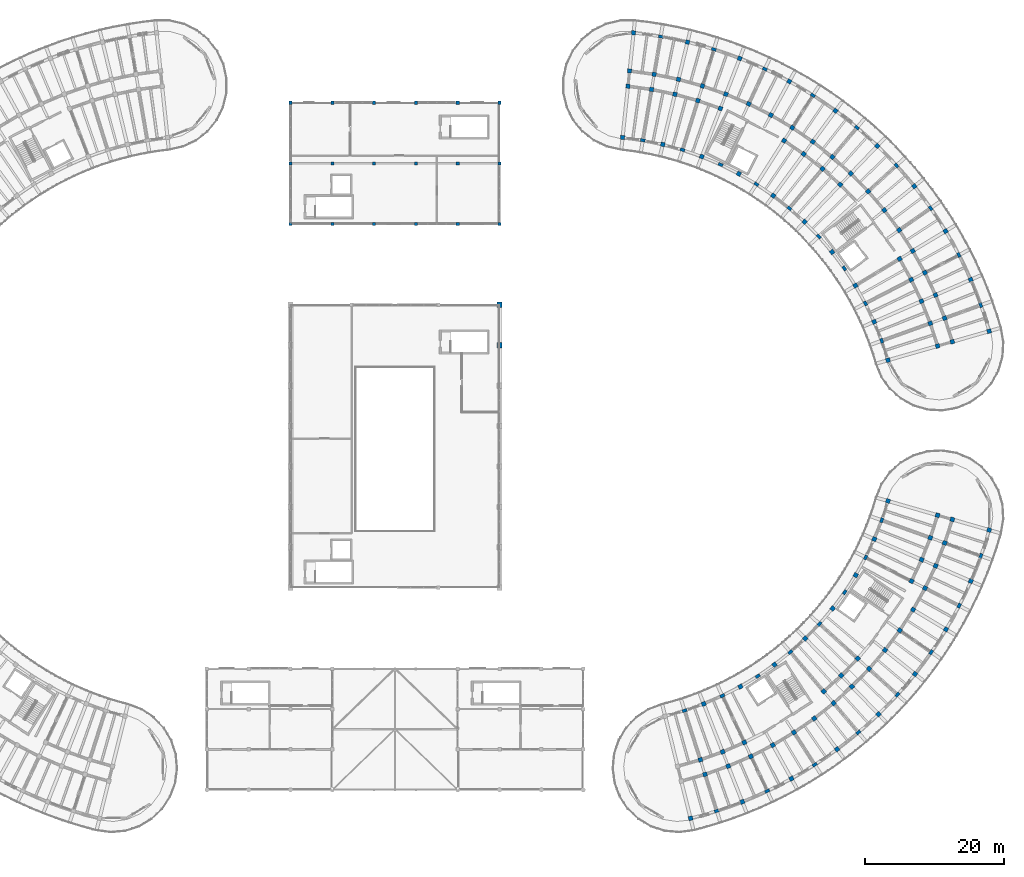
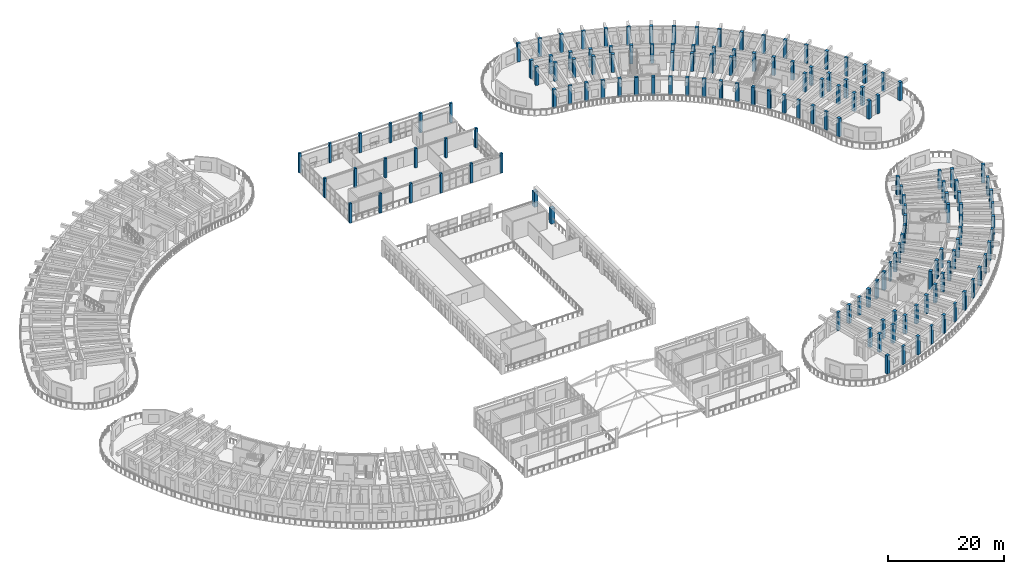
# One storey, part 5 of 128: 150 columns.
"""IFC4 building model written with IfcOpenShell, lengths in metres."""

from ifc_helpers import new_model, si_unit, direction, frame, origin, origin_2d, place, context, subcontext, project, spatial, rectangle, extrude, material, material_profile, profile_set, type_object, element, save


model = new_model("IFC4")

# Units and contexts
model_context = context("Model", 3, precision=1e-05, world=origin(), true_north=direction((0.0, 1.0)))
body_context = subcontext(model_context, "Body", "Model", "MODEL_VIEW")
ifc_project = project(units=[si_unit("LENGTHUNIT", "METRE"), si_unit("AREAUNIT", "SQUARE_METRE"), si_unit("VOLUMEUNIT", "CUBIC_METRE"), si_unit("PLANEANGLEUNIT", "RADIAN"), si_unit("MASSUNIT", "GRAM", prefix="KILO")], contexts=[model_context])

# Site, building, storey
site_placement = place(None, origin())
site = spatial("IfcSite", under=ifc_project, at=site_placement, CompositionType="ELEMENT")
building_placement = place(site_placement, origin())
building = spatial("IfcBuilding", under=site, at=building_placement, Name="Tanwirah Colonnade Gardens", CompositionType="ELEMENT")
storey_placement = place(building_placement, frame((0.0, 0.0, 4.760009765625)))
storey = spatial("IfcBuildingStorey", under=building, at=storey_placement, Name="L01", CompositionType="ELEMENT", Elevation=4.760009765625)

# Columns
ifc_material_1 = material(Name="Precast concrete C40/50", Category="concrete")
ifc_material_profile_1 = material_profile(ifc_material_1, rectangle(XDim=0.449951171875, YDim=0.449951171875, at=origin_2d()), Name="PC-COL 450x450")
ifc_profile_set_1 = profile_set([ifc_material_profile_1], Name="Precast concrete C40/50")
column_type_1 = type_object("IfcColumnType", Name="C-PC450", PredefinedType="COLUMN", material=ifc_profile_set_1)
for number, where, z_axis, x_axis, name in (
    (1, (78.0, 92.0, 0.0), (0.0, 0.0, 1.0), (1.0, 0.0, 0.0), "Nursery L01 Column 0.0"),
    (2, (78.0, 100.699951171875, 0.0), (0.0, 0.0, 1.0), (1.0, 0.0, 0.0), "Nursery L01 Column 0.1"),
    (3, (78.0, 109.39990234375, 0.0), (0.0, 0.0, 1.0), (1.0, 0.0, 0.0), "Nursery L01 Column 0.2"),
    (4, (84.0, 92.0, 0.0), (0.0, 0.0, 1.0), (1.0, 0.0, 0.0), "Nursery L01 Column 1.0"),
    (5, (84.0, 100.699951171875, 0.0), (0.0, 0.0, 1.0), (1.0, 0.0, 0.0), "Nursery L01 Column 1.1"),
    (6, (84.0, 109.39990234375, 0.0), (0.0, 0.0, 1.0), (1.0, 0.0, 0.0), "Nursery L01 Column 1.2"),
    (7, (90.0, 92.0, 0.0), (0.0, 0.0, 1.0), (1.0, 0.0, 0.0), "Nursery L01 Column 2.0"),
    (8, (90.0, 100.699951171875, 0.0), (0.0, 0.0, 1.0), (1.0, 0.0, 0.0), "Nursery L01 Column 2.1"),
    (9, (90.0, 109.39990234375, 0.0), (0.0, 0.0, 1.0), (1.0, 0.0, 0.0), "Nursery L01 Column 2.2"),
    (10, (96.0, 92.0, 0.0), (0.0, 0.0, 1.0), (1.0, 0.0, 0.0), "Nursery L01 Column 3.0"),
    (11, (96.0, 100.699951171875, 0.0), (0.0, 0.0, 1.0), (1.0, 0.0, 0.0), "Nursery L01 Column 3.1"),
    (12, (96.0, 109.39990234375, 0.0), (0.0, 0.0, 1.0), (1.0, 0.0, 0.0), "Nursery L01 Column 3.2"),
    (13, (102.0, 92.0, 0.0), (0.0, 0.0, 1.0), (1.0, 0.0, 0.0), "Nursery L01 Column 4.0"),
    (14, (102.0, 100.699951171875, 0.0), (0.0, 0.0, 1.0), (1.0, 0.0, 0.0), "Nursery L01 Column 4.1"),
    (15, (102.0, 109.39990234375, 0.0), (0.0, 0.0, 1.0), (1.0, 0.0, 0.0), "Nursery L01 Column 4.2"),
    (16, (108.0, 92.0, 0.0), (0.0, 0.0, 1.0), (1.0, 0.0, 0.0), "Nursery L01 Column 5.0"),
    (17, (108.0, 100.699951171875, 0.0), (0.0, 0.0, 1.0), (1.0, 0.0, 0.0), "Nursery L01 Column 5.1"),
    (18, (108.0, 109.39990234375, 0.0), (0.0, 0.0, 1.0), (1.0, 0.0, 0.0), "Nursery L01 Column 5.2"),
):
    element("IfcColumn", number, at=place(storey_placement, frame(where, z_axis=z_axis, x_axis=x_axis)), inside=storey, type_object=column_type_1, Name=name, PredefinedType="COLUMN", context=body_context, shape_type="SweptSolid", body=[
        extrude(rectangle(XDim=0.449951171875, YDim=0.449951171875, at=origin_2d()), origin(), (0.0, 0.0, 1.0), 4.080078125),
    ])
ifc_material_2 = material(Name="Precast concrete C45/55", Category="concrete")
ifc_material_profile_2 = material_profile(ifc_material_2, rectangle(XDim=0.610107421875, YDim=0.610107421875, at=origin_2d()), Name="PC-COL 610x610")
ifc_profile_set_2 = profile_set([ifc_material_profile_2], Name="Precast concrete C45/55")
column_type_2 = type_object("IfcColumnType", Name="C-PC580", PredefinedType="COLUMN", material=ifc_profile_set_2)
for number, where, z_axis, x_axis, name in (
    (19, (135.406494140625, 6.718994140625, 0.0), (0.0, 0.0, 1.0), (0.2419218956, -0.970295726276, 0.0), "Block D L01 Column 0-R3"),
    (20, (136.80712890625, 15.1181640625, 0.0), (0.0, 0.0, 1.0), (0.304864299028, -0.952395799643, 0.0), "Block D L01 Column 1-R1"),
    (21, (137.47802734375, 13.02294921875, 0.0), (0.0, 0.0, 1.0), (0.304864299028, -0.952395799643, 0.0), "Block D L01 Column 1-R2"),
    (22, (137.291015625, 23.142822265625, 0.0), (0.0, 0.0, 1.0), (0.366501226724, -0.930417567982, 0.0), "Block D L01 Column 2-R0"),
    (23, (140.003173828125, 16.2578125, 0.0), (0.0, 0.0, 1.0), (0.366501226724, -0.930417567982, 0.0), "Block D L01 Column 2-R1"),
    (24, (140.809326171875, 14.2109375, 0.0), (0.0, 0.0, 1.0), (0.366501226724, -0.930417567982, 0.0), "Block D L01 Column 2-R2"),
    (25, (142.8251953125, 9.09375, 0.0), (0.0, 0.0, 1.0), (0.366501226724, -0.930417567982, 0.0), "Block D L01 Column 2-R3"),
    (26, (143.11767578125, 17.60400390625, 0.0), (0.0, 0.0, 1.0), (0.426568739901, -0.904455145454, 0.0), "Block D L01 Column 3-R1"),
    (27, (144.05615234375, 15.6142578125, 0.0), (0.0, 0.0, 1.0), (0.426568739901, -0.904455145454, 0.0), "Block D L01 Column 3-R2"),
    (28, (142.5498046875, 25.623046875, 0.0), (0.0, 0.0, 1.0), (0.484809620246, -0.874619707139, 0.0), "Block D L01 Column 4-R0"),
    (29, (147.203857421875, 17.226806640625, 0.0), (0.0, 0.0, 1.0), (0.484809620246, -0.874619707139, 0.0), "Block D L01 Column 4-R2"),
    (30, (149.870361328125, 12.41650390625, 0.0), (0.0, 0.0, 1.0), (0.484809620246, -0.874619707139, 0.0), "Block D L01 Column 4-R3"),
    (31, (150.23974609375, 19.041748046875, 0.0), (0.0, 0.0, 1.0), (0.540974471368, -0.841039012964, 0.0), "Block D L01 Column 5-R2"),
    (32, (147.43994140625, 28.7685546875, 0.0), (0.0, 0.0, 1.0), (0.594822786751, -0.803856860617, 0.0), "Block D L01 Column 6-R0"),
    (33, (153.150146484375, 21.051513671875, 0.0), (0.0, 0.0, 1.0), (0.594822786751, -0.803856860617, 0.0), "Block D L01 Column 6-R2"),
    (34, (156.421630859375, 16.63037109375, 0.0), (0.0, 0.0, 1.0), (0.594822786751, -0.803856860617, 0.0), "Block D L01 Column 6-R3"),
    (35, (154.50146484375, 24.926513671875, 0.0), (0.0, 0.0, 1.0), (0.646123979643, -0.763232469783, 0.0), "Block D L01 Column 7-R1"),
    (36, (155.923095703125, 23.247314453125, 0.0), (0.0, 0.0, 1.0), (0.646123979643, -0.763232469783, 0.0), "Block D L01 Column 7-R2"),
    (37, (151.877685546875, 32.525390625, 0.0), (0.0, 0.0, 1.0), (0.694658370459, -0.719339800339, 0.0), "Block D L01 Column 8-R0"),
    (38, (157.01806640625, 27.2021484375, 0.0), (0.0, 0.0, 1.0), (0.694658370459, -0.719339800339, 0.0), "Block D L01 Column 8-R1"),
    (39, (158.54638671875, 25.61962890625, 0.0), (0.0, 0.0, 1.0), (0.694658370459, -0.719339800339, 0.0), "Block D L01 Column 8-R2"),
    (40, (162.366943359375, 21.663330078125, 0.0), (0.0, 0.0, 1.0), (0.694658370459, -0.719339800339, 0.0), "Block D L01 Column 8-R3"),
    (41, (159.38037109375, 29.6376953125, 0.0), (0.0, 0.0, 1.0), (0.740218127487, -0.672366807435, 0.0), "Block D L01 Column 9-R1"),
    (42, (161.0087890625, 28.15869140625, 0.0), (0.0, 0.0, 1.0), (0.740218127487, -0.672366807435, 0.0), "Block D L01 Column 9-R2"),
    (43, (155.786865234375, 36.829345703125, 0.0), (0.0, 0.0, 1.0), (0.782608156852, -0.622514636638, 0.0), "Block D L01 Column 10-R0"),
    (44, (163.300048828125, 30.85302734375, 0.0), (0.0, 0.0, 1.0), (0.782608156852, -0.622514636638, 0.0), "Block D L01 Column 10-R2"),
    (45, (167.604248046875, 27.42919921875, 0.0), (0.0, 0.0, 1.0), (0.782608156852, -0.622514636638, 0.0), "Block D L01 Column 10-R3"),
    (46, (165.409912109375, 33.691650390625, 0.0), (0.0, 0.0, 1.0), (0.821646937942, -0.569996762596, 0.0), "Block D L01 Column 11-R2"),
    (47, (159.10107421875, 41.6064453125, 0.0), (0.0, 0.0, 1.0), (0.857167300702, -0.51503807491, 0.0), "Block D L01 Column 12-R0"),
    (48, (167.329833984375, 36.662109375, 0.0), (0.0, 0.0, 1.0), (0.857167300702, -0.51503807491, 0.0), "Block D L01 Column 12-R2"),
    (49, (172.04443359375, 33.82958984375, 0.0), (0.0, 0.0, 1.0), (0.857167300702, -0.51503807491, 0.0), "Block D L01 Column 12-R3"),
    (50, (167.095458984375, 40.75927734375, 0.0), (0.0, 0.0, 1.0), (0.889017141486, -0.457873915117, 0.0), "Block D L01 Column 13-R1"),
    (51, (169.05126953125, 39.751953125, 0.0), (0.0, 0.0, 1.0), (0.889017141486, -0.457873915117, 0.0), "Block D L01 Column 13-R2"),
    (52, (161.763427734375, 46.775634765625, 0.0), (0.0, 0.0, 1.0), (0.917060074385, -0.398749068925, 0.0), "Block D L01 Column 14-R0"),
    (53, (168.549560546875, 43.824951171875, 0.0), (0.0, 0.0, 1.0), (0.917060074385, -0.398749068925, 0.0), "Block D L01 Column 14-R1"),
    (54, (170.567138671875, 42.947509765625, 0.0), (0.0, 0.0, 1.0), (0.917060074385, -0.398749068925, 0.0), "Block D L01 Column 14-R2"),
    (55, (175.61083984375, 40.75439453125, 0.0), (0.0, 0.0, 1.0), (0.917060074385, -0.398749068925, 0.0), "Block D L01 Column 14-R3"),
    (56, (169.800048828125, 46.97900390625, 0.0), (0.0, 0.0, 1.0), (0.941176015256, -0.337916718003, 0.0), "Block D L01 Column 15-R1"),
    (57, (171.87060546875, 46.235595703125, 0.0), (0.0, 0.0, 1.0), (0.941176015256, -0.337916718003, 0.0), "Block D L01 Column 15-R2"),
    (58, (163.72802734375, 52.247802734375, 0.0), (0.0, 0.0, 1.0), (0.961261695938, -0.275637355817, 0.0), "Block D L01 Column 16-R0"),
    (59, (170.84130859375, 50.208251953125, 0.0), (0.0, 0.0, 1.0), (0.961261695938, -0.275637355817, 0.0), "Block D L01 Column 16-R1"),
    (60, (172.956298828125, 49.601806640625, 0.0), (0.0, 0.0, 1.0), (0.961261695938, -0.275637355817, 0.0), "Block D L01 Column 16-R2"),
    (61, (178.2431640625, 48.085693359375, 0.0), (0.0, 0.0, 1.0), (0.961261695938, -0.275637355817, 0.0), "Block D L01 Column 16-R3"),
):
    element("IfcColumn", number, at=place(storey_placement, frame(where, z_axis=z_axis, x_axis=x_axis)), inside=storey, type_object=column_type_2, Name=name, PredefinedType="COLUMN", context=body_context, shape_type="SweptSolid", body=[
        extrude(rectangle(XDim=0.610107421875, YDim=0.610107421875, at=origin_2d()), origin(), (0.0, 0.0, 1.0), 3.824951171875),
    ])
ifc_material_profile_3 = material_profile(ifc_material_2, rectangle(XDim=0.60009765625, YDim=0.60009765625, at=origin_2d()), Name="PC-COL 600x600")
ifc_profile_set_3 = profile_set([ifc_material_profile_3], Name="Precast concrete C45/55")
column_type_3 = type_object("IfcColumnType", Name="C-PC600", PredefinedType="COLUMN", material=ifc_profile_set_3)
for number, where, z_axis, x_axis, name in (
    (62, (163.72802734375, 72.4521484375, 0.0), (0.0, 0.0, 1.0), (0.961261695938, 0.275637355817, 0.0), "Block B L01 Column 0-R0"),
    (63, (170.84130859375, 74.49169921875, 0.0), (0.0, 0.0, 1.0), (0.961261695938, 0.275637355817, 0.0), "Block B L01 Column 0-R1"),
    (64, (172.956298828125, 75.09814453125, 0.0), (0.0, 0.0, 1.0), (0.961261695938, 0.275637355817, 0.0), "Block B L01 Column 0-R2"),
    (65, (178.2431640625, 76.6142578125, 0.0), (0.0, 0.0, 1.0), (0.961261695938, 0.275637355817, 0.0), "Block B L01 Column 0-R3"),
    (66, (169.79150390625, 77.74462890625, 0.0), (0.0, 0.0, 1.0), (0.941012076693, 0.338372976931, 0.0), "Block B L01 Column 1-R1"),
    (67, (171.86181640625, 78.489013671875, 0.0), (0.0, 0.0, 1.0), (0.941012076693, 0.338372976931, 0.0), "Block B L01 Column 1-R2"),
    (68, (161.74609375, 77.9638671875, 0.0), (0.0, 0.0, 1.0), (0.916673002238, 0.39963809499, 0.0), "Block B L01 Column 2-R0"),
    (69, (168.529541015625, 80.921142578125, 0.0), (0.0, 0.0, 1.0), (0.916673002238, 0.39963809499, 0.0), "Block B L01 Column 2-R1"),
    (70, (170.546142578125, 81.800537109375, 0.0), (0.0, 0.0, 1.0), (0.916673002238, 0.39963809499, 0.0), "Block B L01 Column 2-R2"),
    (71, (175.587890625, 83.99853515625, 0.0), (0.0, 0.0, 1.0), (0.916673002238, 0.39963809499, 0.0), "Block B L01 Column 2-R3"),
    (72, (167.06103515625, 84.0078125, 0.0), (0.0, 0.0, 1.0), (0.88835024545, 0.459166463723, 0.0), "Block B L01 Column 3-R1"),
    (73, (169.015380859375, 85.01806640625, 0.0), (0.0, 0.0, 1.0), (0.88835024545, 0.459166463723, 0.0), "Block B L01 Column 3-R2"),
    (74, (159.056640625, 83.167236328125, 0.0), (0.0, 0.0, 1.0), (0.856166891514, 0.516699384434, 0.0), "Block B L01 Column 4-R0"),
    (75, (165.392333984375, 86.990966796875, 0.0), (0.0, 0.0, 1.0), (0.856166891514, 0.516699384434, 0.0), "Block B L01 Column 4-R1"),
    (76, (167.27587890625, 88.127685546875, 0.0), (0.0, 0.0, 1.0), (0.856166891514, 0.516699384434, 0.0), "Block B L01 Column 4-R2"),
    (77, (171.984619140625, 90.969482421875, 0.0), (0.0, 0.0, 1.0), (0.856166891514, 0.516699384434, 0.0), "Block B L01 Column 4-R3"),
    (78, (165.335205078125, 91.115966796875, 0.0), (0.0, 0.0, 1.0), (0.820262803018, 0.571986830255, 0.0), "Block B L01 Column 5-R2"),
    (79, (155.706298828125, 87.971923828125, 0.0), (0.0, 0.0, 1.0), (0.780794012137, 0.624788532714, 0.0), "Block B L01 Column 6-R0"),
    (80, (163.201904296875, 93.9697265625, 0.0), (0.0, 0.0, 1.0), (0.780794012137, 0.624788532714, 0.0), "Block B L01 Column 6-R2"),
    (81, (167.496337890625, 97.40625, 0.0), (0.0, 0.0, 1.0), (0.780794012137, 0.624788532714, 0.0), "Block B L01 Column 6-R3"),
    (82, (160.88525390625, 96.677001953125, 0.0), (0.0, 0.0, 1.0), (0.73793204255, 0.674875025896, 0.0), "Block B L01 Column 7-R2"),
    (83, (151.75341796875, 92.294189453125, 0.0), (0.0, 0.0, 1.0), (0.691863164029, 0.722028643656, 0.0), "Block B L01 Column 8-R0"),
    (84, (156.873046875, 97.63720703125, 0.0), (0.0, 0.0, 1.0), (0.691863164029, 0.722028643656, 0.0), "Block B L01 Column 8-R1"),
    (85, (158.395263671875, 99.2255859375, 0.0), (0.0, 0.0, 1.0), (0.691863164029, 0.722028643656, 0.0), "Block B L01 Column 8-R2"),
    (86, (162.200439453125, 103.19677734375, 0.0), (0.0, 0.0, 1.0), (0.691863164029, 0.722028643656, 0.0), "Block B L01 Column 8-R3"),
    (87, (154.32861328125, 99.91943359375, 0.0), (0.0, 0.0, 1.0), (0.642787582947, 0.766044465556, 0.0), "Block B L01 Column 9-R1"),
    (88, (155.74267578125, 101.604736328125, 0.0), (0.0, 0.0, 1.0), (0.642787582947, 0.766044465556, 0.0), "Block B L01 Column 9-R2"),
    (89, (147.266357421875, 96.05908203125, 0.0), (0.0, 0.0, 1.0), (0.590918572221, 0.806731207407, 0.0), "Block B L01 Column 10-R0"),
    (90, (151.63916015625, 102.029052734375, 0.0), (0.0, 0.0, 1.0), (0.590918572221, 0.806731207407, 0.0), "Block B L01 Column 10-R1"),
    (91, (152.939208984375, 103.8037109375, 0.0), (0.0, 0.0, 1.0), (0.590918572221, 0.806731207407, 0.0), "Block B L01 Column 10-R2"),
    (92, (156.189208984375, 108.24072265625, 0.0), (0.0, 0.0, 1.0), (0.590918572221, 0.806731207407, 0.0), "Block B L01 Column 10-R3"),
    (93, (148.816650390625, 103.956787109375, 0.0), (0.0, 0.0, 1.0), (0.536481544469, 0.843912052553, 0.0), "Block B L01 Column 11-R1"),
    (94, (149.996826171875, 105.8134765625, 0.0), (0.0, 0.0, 1.0), (0.536481544469, 0.843912052553, 0.0), "Block B L01 Column 11-R2"),
    (95, (142.3232421875, 99.20166015625, 0.0), (0.0, 0.0, 1.0), (0.479713072413, 0.877425420281, 0.0), "Block B L01 Column 12-R0"),
    (96, (146.928466796875, 107.624755859375, 0.0), (0.0, 0.0, 1.0), (0.479713072413, 0.877425420281, 0.0), "Block B L01 Column 12-R2"),
    (97, (149.56689453125, 112.45068359375, 0.0), (0.0, 0.0, 1.0), (0.479713072413, 0.877425420281, 0.0), "Block B L01 Column 12-R3"),
    (98, (143.74755859375, 109.230224609375, 0.0), (0.0, 0.0, 1.0), (0.420859860775, 0.907125668024, 0.0), "Block B L01 Column 13-R2"),
    (99, (137.010009765625, 101.666748046875, 0.0), (0.0, 0.0, 1.0), (0.36017767415, 0.932883724289, 0.0), "Block B L01 Column 14-R0"),
    (100, (139.67529296875, 108.570068359375, 0.0), (0.0, 0.0, 1.0), (0.36017767415, 0.932883724289, 0.0), "Block B L01 Column 14-R1"),
    (101, (140.467529296875, 110.622314453125, 0.0), (0.0, 0.0, 1.0), (0.36017767415, 0.932883724289, 0.0), "Block B L01 Column 14-R2"),
    (102, (142.448486328125, 115.753173828125, 0.0), (0.0, 0.0, 1.0), (0.36017767415, 0.932883724289, 0.0), "Block B L01 Column 14-R3"),
    (103, (136.44775390625, 109.6953125, 0.0), (0.0, 0.0, 1.0), (0.297930225503, 0.954587649581, 0.0), "Block B L01 Column 15-R1"),
    (104, (137.10302734375, 111.79541015625, 0.0), (0.0, 0.0, 1.0), (0.297930225503, 0.954587649581, 0.0), "Block B L01 Column 15-R2"),
    (105, (131.41845703125, 103.411865234375, 0.0), (0.0, 0.0, 1.0), (0.234388030122, 0.972143122866, 0.0), "Block B L01 Column 16-R0"),
    (106, (133.153076171875, 110.605712890625, 0.0), (0.0, 0.0, 1.0), (0.234388030122, 0.972143122866, 0.0), "Block B L01 Column 16-R1"),
    (107, (133.668701171875, 112.744384765625, 0.0), (0.0, 0.0, 1.0), (0.234388030122, 0.972143122866, 0.0), "Block B L01 Column 16-R2"),
    (108, (134.957763671875, 118.091064453125, 0.0), (0.0, 0.0, 1.0), (0.234388030122, 0.972143122866, 0.0), "Block B L01 Column 16-R3"),
    (109, (129.8056640625, 111.296875, 0.0), (0.0, 0.0, 1.0), (0.169827230012, 0.985473851478, 0.0), "Block B L01 Column 17-R1"),
    (110, (130.17919921875, 113.46484375, 0.0), (0.0, 0.0, 1.0), (0.169827230012, 0.985473851478, 0.0), "Block B L01 Column 17-R2"),
    (111, (125.646240234375, 104.406494140625, 0.0), (0.0, 0.0, 1.0), (0.104528393837, 0.994521902666, 0.0), "Block B L01 Column 18-R0"),
    (112, (126.419677734375, 111.765869140625, 0.0), (0.0, 0.0, 1.0), (0.104528393837, 0.994521902666, 0.0), "Block B L01 Column 18-R1"),
    (113, (126.649658203125, 113.953857421875, 0.0), (0.0, 0.0, 1.0), (0.104528393837, 0.994521902666, 0.0), "Block B L01 Column 18-R2"),
    (114, (127.224609375, 119.423828125, 0.0), (0.0, 0.0, 1.0), (0.104528393837, 0.994521902666, 0.0), "Block B L01 Column 18-R3"),
):
    element("IfcColumn", number, at=place(storey_placement, frame(where, z_axis=z_axis, x_axis=x_axis)), inside=storey, type_object=column_type_3, Name=name, PredefinedType="COLUMN", context=body_context, shape_type="SweptSolid", body=[
        extrude(rectangle(XDim=0.60009765625, YDim=0.60009765625, at=origin_2d()), origin(), (0.0, 0.0, 1.0), 3.824951171875),
    ])
ifc_material_3 = material(Name="Concrete C45/55", Category="concrete")
ifc_material_profile_4 = material_profile(ifc_material_3, rectangle(XDim=0.75, YDim=0.75, at=origin_2d()), Name="RC-COL 750x750")
ifc_profile_set_4 = profile_set([ifc_material_profile_4], Name="Concrete C45/55")
column_type_4 = type_object("IfcColumnType", Name="C-RC750", PredefinedType="COLUMN", material=ifc_profile_set_4)
for number, where, z_axis, x_axis, name in (
    (115, (108.0, 74.60009765625, 0.0), (0.0, 0.0, 1.0), (1.0, 0.0, 0.0), "Community Hall L01 Column 3.6"),
    (116, (108.0, 80.39990234375, 0.0), (0.0, 0.0, 1.0), (1.0, 0.0, 0.0), "Community Hall L01 Column 3.7"),
):
    element("IfcColumn", number, at=place(storey_placement, frame(where, z_axis=z_axis, x_axis=x_axis)), inside=storey, type_object=column_type_4, Name=name, PredefinedType="COLUMN", context=body_context, shape_type="SweptSolid", body=[
        extrude(rectangle(XDim=0.75, YDim=0.75, at=origin_2d()), origin(), (0.0, 0.0, 1.0), 3.2099609375),
    ])
ifc_material_profile_5 = material_profile(ifc_material_2, rectangle(XDim=0.429931640625, YDim=0.68994140625, at=origin_2d()), Name="PC-PIL 430x690")
ifc_profile_set_5 = profile_set([ifc_material_profile_5], Name="Precast concrete C45/55")
column_type_5 = type_object("IfcColumnType", Name="PIL-400", PredefinedType="PILASTER", material=ifc_profile_set_5)
for number, where, z_axis, x_axis, name in (
    (117, (134.55126953125, 22.166015625, 0.0), (0.0, 0.0, 1.0), (0.304864299028, -0.952395799643, 0.0), "Block D L01 Column 1-R0"),
    (118, (139.15478515625, 7.784912109375, 0.0), (0.0, 0.0, 1.0), (0.304864299028, -0.952395799643, 0.0), "Block D L01 Column 1-R3"),
    (119, (139.9609375, 24.296875, 0.0), (0.0, 0.0, 1.0), (0.426568739901, -0.904455145454, 0.0), "Block D L01 Column 3-R0"),
    (120, (146.402099609375, 10.6396484375, 0.0), (0.0, 0.0, 1.0), (0.426568739901, -0.904455145454, 0.0), "Block D L01 Column 3-R3"),
    (121, (145.04638671875, 27.11572265625, 0.0), (0.0, 0.0, 1.0), (0.540974471368, -0.841039012964, 0.0), "Block D L01 Column 5-R0"),
    (122, (153.215087890625, 14.416015625, 0.0), (0.0, 0.0, 1.0), (0.540974471368, -0.841039012964, 0.0), "Block D L01 Column 5-R3"),
    (123, (149.72021484375, 30.57421875, 0.0), (0.0, 0.0, 1.0), (0.646123979643, -0.763232469783, 0.0), "Block D L01 Column 7-R0"),
    (124, (159.4765625, 19.049560546875, 0.0), (0.0, 0.0, 1.0), (0.646123979643, -0.763232469783, 0.0), "Block D L01 Column 7-R3"),
    (125, (153.902587890625, 34.61328125, 0.0), (0.0, 0.0, 1.0), (0.740218127487, -0.672366807435, 0.0), "Block D L01 Column 9-R0"),
    (126, (165.080078125, 24.46044921875, 0.0), (0.0, 0.0, 1.0), (0.740218127487, -0.672366807435, 0.0), "Block D L01 Column 9-R3"),
    (127, (157.522216796875, 39.16357421875, 0.0), (0.0, 0.0, 1.0), (0.821646937942, -0.569996762596, 0.0), "Block D L01 Column 11-R0"),
    (128, (169.928955078125, 30.556640625, 0.0), (0.0, 0.0, 1.0), (0.821646937942, -0.569996762596, 0.0), "Block D L01 Column 11-R3"),
    (129, (160.516845703125, 44.1474609375, 0.0), (0.0, 0.0, 1.0), (0.889017141486, -0.457873915117, 0.0), "Block D L01 Column 13-R0"),
    (130, (173.94091796875, 37.233642578125, 0.0), (0.0, 0.0, 1.0), (0.889017141486, -0.457873915117, 0.0), "Block D L01 Column 13-R3"),
    (131, (162.835205078125, 49.4794921875, 0.0), (0.0, 0.0, 1.0), (0.941176015256, -0.337916718003, 0.0), "Block D L01 Column 15-R0"),
    (132, (177.047119140625, 44.376953125, 0.0), (0.0, 0.0, 1.0), (0.941176015256, -0.337916718003, 0.0), "Block D L01 Column 15-R3"),
):
    element("IfcColumn", number, at=place(storey_placement, frame(where, z_axis=z_axis, x_axis=x_axis)), inside=storey, type_object=column_type_5, Name=name, PredefinedType="PILASTER", context=body_context, shape_type="SweptSolid", body=[
        extrude(rectangle(XDim=0.429931640625, YDim=0.68994140625, at=origin_2d()), origin(), (0.0, 0.0, 1.0), 3.824951171875),
    ])
ifc_material_profile_6 = material_profile(ifc_material_2, rectangle(XDim=0.419921875, YDim=0.679931640625, at=origin_2d()), Name="PC-PIL 420x680")
ifc_profile_set_6 = profile_set([ifc_material_profile_6], Name="Precast concrete C45/55")
column_type_6 = type_object("IfcColumnType", Name="PIL-420", PredefinedType="PILASTER", material=ifc_profile_set_6)
for number, where, z_axis, x_axis, name in (
    (133, (162.827880859375, 75.24072265625, 0.0), (0.0, 0.0, 1.0), (0.941012076693, 0.338372976931, 0.0), "Block B L01 Column 1-R0"),
    (134, (177.037353515625, 80.35009765625, 0.0), (0.0, 0.0, 1.0), (0.941012076693, 0.338372976931, 0.0), "Block B L01 Column 1-R3"),
    (135, (160.487060546875, 80.60986328125, 0.0), (0.0, 0.0, 1.0), (0.88835024545, 0.459166463723, 0.0), "Block B L01 Column 3-R0"),
    (136, (173.9013671875, 87.54345703125, 0.0), (0.0, 0.0, 1.0), (0.88835024545, 0.459166463723, 0.0), "Block B L01 Column 3-R3"),
    (137, (157.460693359375, 85.624755859375, 0.0), (0.0, 0.0, 1.0), (0.820262803018, 0.571986830255, 0.0), "Block B L01 Column 5-R0"),
    (138, (169.8466796875, 94.26171875, 0.0), (0.0, 0.0, 1.0), (0.820262803018, 0.571986830255, 0.0), "Block B L01 Column 5-R3"),
    (139, (153.801025390625, 90.1982421875, 0.0), (0.0, 0.0, 1.0), (0.73793204255, 0.674875025896, 0.0), "Block B L01 Column 7-R0"),
    (140, (164.94384765625, 100.388916015625, 0.0), (0.0, 0.0, 1.0), (0.73793204255, 0.674875025896, 0.0), "Block B L01 Column 7-R3"),
    (141, (149.572021484375, 94.250732421875, 0.0), (0.0, 0.0, 1.0), (0.642787582947, 0.766044465556, 0.0), "Block B L01 Column 9-R0"),
    (142, (159.278076171875, 105.81787109375, 0.0), (0.0, 0.0, 1.0), (0.642787582947, 0.766044465556, 0.0), "Block B L01 Column 9-R3"),
    (143, (144.8466796875, 97.7119140625, 0.0), (0.0, 0.0, 1.0), (0.536481544469, 0.843912052553, 0.0), "Block B L01 Column 11-R0"),
    (144, (152.947509765625, 110.455078125, 0.0), (0.0, 0.0, 1.0), (0.536481544469, 0.843912052553, 0.0), "Block B L01 Column 11-R3"),
    (145, (139.707275390625, 100.521728515625, 0.0), (0.0, 0.0, 1.0), (0.420859860775, 0.907125668024, 0.0), "Block B L01 Column 13-R0"),
    (146, (146.062255859375, 114.21923828125, 0.0), (0.0, 0.0, 1.0), (0.420859860775, 0.907125668024, 0.0), "Block B L01 Column 13-R3"),
    (147, (134.242919921875, 102.63134765625, 0.0), (0.0, 0.0, 1.0), (0.297930225503, 0.954587649581, 0.0), "Block B L01 Column 15-R0"),
    (148, (138.74169921875, 117.045654296875, 0.0), (0.0, 0.0, 1.0), (0.297930225503, 0.954587649581, 0.0), "Block B L01 Column 15-R3"),
    (149, (128.548828125, 104.00439453125, 0.0), (0.0, 0.0, 1.0), (0.169827230012, 0.985473851478, 0.0), "Block B L01 Column 17-R0"),
    (150, (131.11328125, 118.885009765625, 0.0), (0.0, 0.0, 1.0), (0.169827230012, 0.985473851478, 0.0), "Block B L01 Column 17-R3"),
):
    element("IfcColumn", number, at=place(storey_placement, frame(where, z_axis=z_axis, x_axis=x_axis)), inside=storey, type_object=column_type_6, Name=name, PredefinedType="PILASTER", context=body_context, shape_type="SweptSolid", body=[
        extrude(rectangle(XDim=0.419921875, YDim=0.679931640625, at=origin_2d()), origin(), (0.0, 0.0, 1.0), 3.824951171875),
    ])

save(model, "model.ifc")
